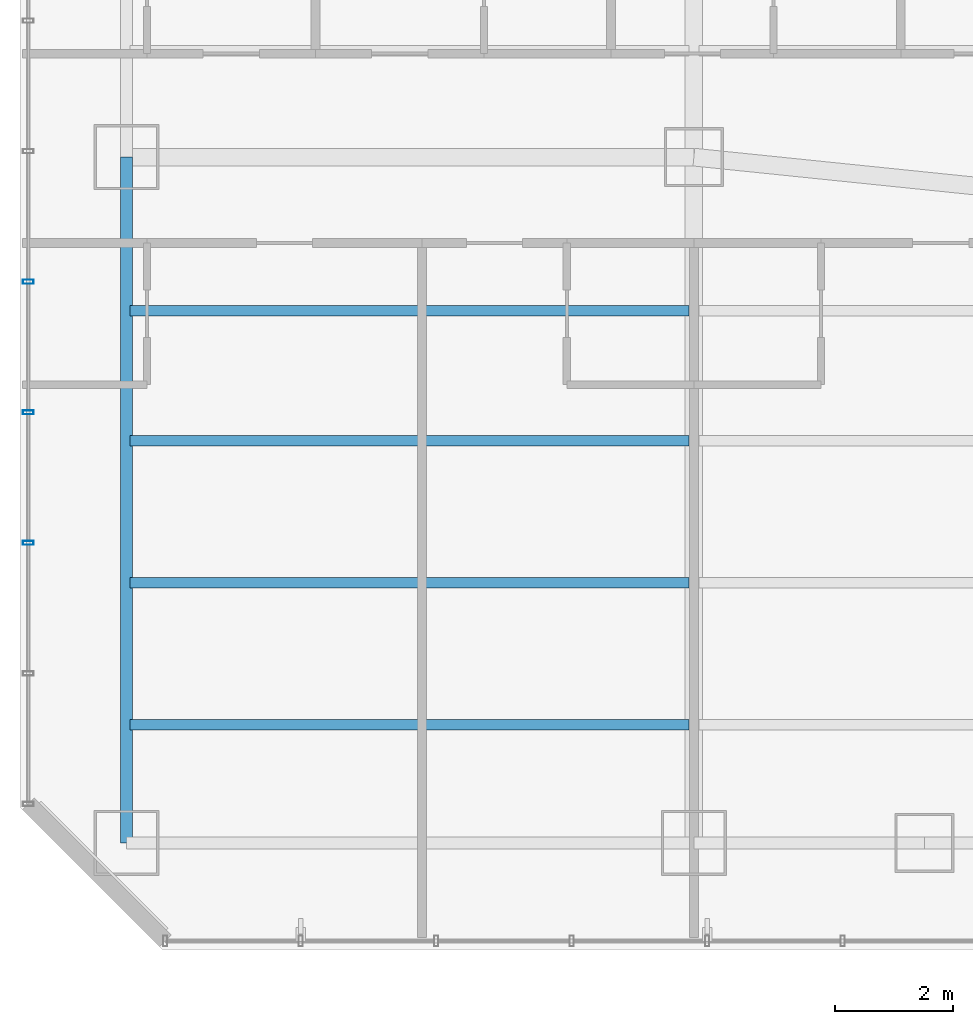
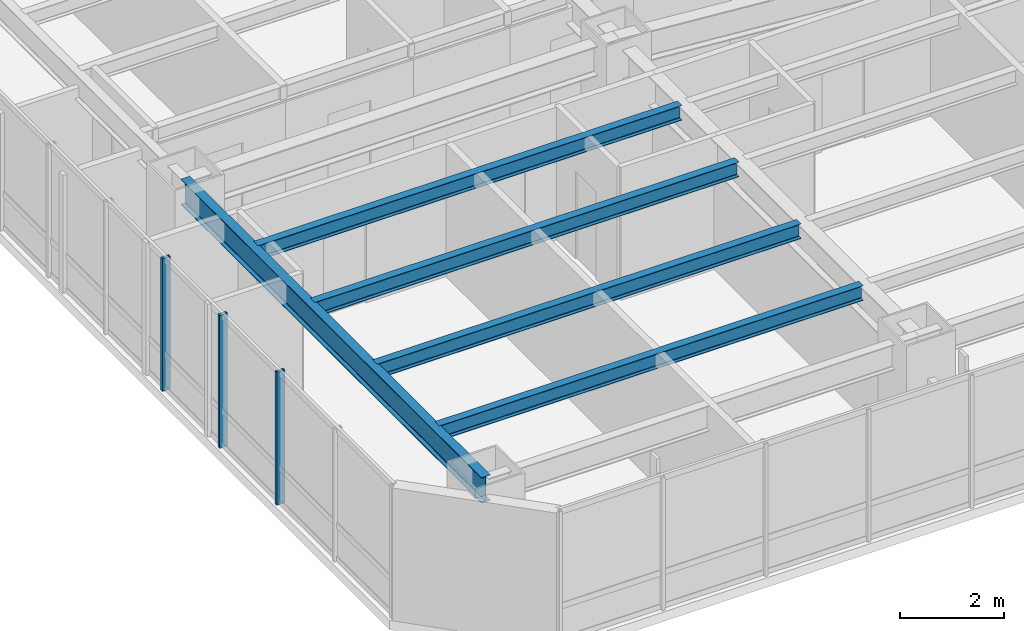
# One storey, part 5 of 32: 5 beams, 3 members, 1 element without a shape of its own.
"""IFC4 building model written with IfcOpenShell, lengths in metres."""

from ifc_helpers import new_model, si_unit, direction, frame, origin, origin_2d, place, context, subcontext, project, spatial, hollow_rectangle, i_section, extrude, material, layer, layer_set, material_profile, profile_set, type_object, element, aggregate, save


model = new_model("IFC4")

# Units and contexts
model_context = context("Model", 3, precision=1e-05, world=origin(), true_north=direction((0.0, 1.0)))
body_context = subcontext(model_context, "Body", "Model", "MODEL_VIEW")
ifc_project = project(units=[si_unit("LENGTHUNIT", "METRE"), si_unit("AREAUNIT", "SQUARE_METRE"), si_unit("VOLUMEUNIT", "CUBIC_METRE"), si_unit("PLANEANGLEUNIT", "RADIAN"), si_unit("MASSUNIT", "GRAM", prefix="KILO")], contexts=[model_context])

# Site, building, storey
site_placement = place(None, origin())
site = spatial("IfcSite", under=ifc_project, at=site_placement, CompositionType="ELEMENT")
building_placement = place(site_placement, origin())
building = spatial("IfcBuilding", under=site, at=building_placement, Name="Hatsunagi Terrace Concourse", CompositionType="ELEMENT")
storey_placement = place(building_placement, frame((0.0, 0.0, 46.64990234375)))
storey = spatial("IfcBuildingStorey", under=building, at=storey_placement, Name="L11", CompositionType="ELEMENT", Elevation=46.64990234375)

# Curtain wall, members
ifc_material_1 = material(Name="Anodised Aluminium Alloy 6063-T5", Category="aluminium")
ifc_layer = layer(ifc_material_1, 0.199951171875)
ifc_layer_set = layer_set([ifc_layer], Name="HotelFacade_CW02")
curtain_wall_type = type_object("IfcCurtainWallType", Name="HotelFacade_CW02", PredefinedType="NOTDEFINED", material=ifc_layer_set)
curtain_wall_placement = place(storey_placement, origin())
curtain_wall = element("IfcCurtainWall", 1, at=curtain_wall_placement, inside=storey, type_object=curtain_wall_type, Name="Unitised Curtain Wall CW-02 CW-L11-09", PredefinedType="NOTDEFINED")
ifc_material_2 = material(Name="Anodised Aluminium Alloy 6063-T5", Category="aluminium")
ifc_material_profile_1 = material_profile(ifc_material_2, hollow_rectangle(XDim=0.070068359375, YDim=0.179931640625, WallThickness=0.00390625, at=origin_2d()), Name="ALU-MUL-180x70x4")
ifc_profile_set_1 = profile_set([ifc_material_profile_1], Name="Anodised Aluminium Alloy 6063-T5")
member_type = type_object("IfcMemberType", Name="CurtainWallMullion_180x70", PredefinedType="MULLION", material=ifc_profile_set_1)
member_1_placement = place(storey_placement, frame((0.139892578125, 30.27490234375, 0.0), z_axis=(0.0, 0.0, 1.0), x_axis=(0.0, 1.0, 0.0)))
member_1 = element("IfcMember", 2, at=member_1_placement, type_object=member_type, Name="Curtain Wall Mullion MUL-02", PredefinedType="MULLION", context=body_context, shape_type="SweptSolid", body=[
    extrude(hollow_rectangle(XDim=0.070068359375, YDim=0.179931640625, WallThickness=0.00390625, at=origin_2d()), origin(), (0.0, 0.0, 1.0), 3.130126953125),
])
member_2_placement = place(storey_placement, frame((0.139892578125, 32.48291015625, 0.0), z_axis=(0.0, 0.0, 1.0), x_axis=(0.0, 1.0, 0.0)))
member_2 = element("IfcMember", 3, at=member_2_placement, type_object=member_type, Name="Curtain Wall Mullion MUL-02", PredefinedType="MULLION", context=body_context, shape_type="SweptSolid", body=[
    extrude(hollow_rectangle(XDim=0.070068359375, YDim=0.179931640625, WallThickness=0.00390625, at=origin_2d()), origin(), (0.0, 0.0, 1.0), 3.130126953125),
])
member_3_placement = place(storey_placement, frame((0.139892578125, 34.69189453125, 0.0), z_axis=(0.0, 0.0, 1.0), x_axis=(0.0, 1.0, 0.0)))
member_3 = element("IfcMember", 4, at=member_3_placement, type_object=member_type, Name="Curtain Wall Mullion MUL-02", PredefinedType="MULLION", context=body_context, shape_type="SweptSolid", body=[
    extrude(hollow_rectangle(XDim=0.070068359375, YDim=0.179931640625, WallThickness=0.00390625, at=origin_2d()), origin(), (0.0, 0.0, 1.0), 3.130126953125),
])
aggregate(curtain_wall, [member_1, member_2, member_3])

# Beams
ifc_material_3 = material(Name="Steel SN490B", Category="steel")
ifc_material_profile_2 = material_profile(ifc_material_3, i_section(OverallWidth=0.175048828125, OverallDepth=0.35009765625, WebThickness=0.007080078125, FlangeThickness=0.010986328125, FilletRadius=0.012939453125, at=origin_2d()), Name="H-350x175x7x11")
ifc_profile_set_2 = profile_set([ifc_material_profile_2], Name="Steel SN490B")
beam_type_1 = type_object("IfcBeamType", Name="HotelJoist_H_350x175", PredefinedType="JOIST", material=ifc_profile_set_2)
for number, where, z_axis, x_axis, name in (
    (5, (1.864990234375, 27.199951171875, 2.955078125), (1.0, 0.0, 0.0), (0.0, 1.0, 0.0), "Beam J-02 J-L11-W-1-272"),
    (6, (1.864990234375, 29.60009765625, 2.955078125), (1.0, 0.0, 0.0), (0.0, 1.0, 0.0), "Beam J-02 J-L11-W-1-296"),
    (7, (1.864990234375, 32.0, 2.955078125), (1.0, 0.0, 0.0), (0.0, 1.0, 0.0), "Beam J-02 J-L11-W-1-320"),
    (8, (1.864990234375, 34.199951171875, 2.955078125), (1.0, 0.0, 0.0), (0.0, 1.0, 0.0), "Beam J-02 J-L11-W-1-342"),
):
    element("IfcBeam", number, at=place(storey_placement, frame(where, z_axis=z_axis, x_axis=x_axis)), inside=storey, type_object=beam_type_1, Name=name, PredefinedType="JOIST", context=body_context, shape_type="SweptSolid", body=[
        extrude(i_section(OverallWidth=0.175048828125, OverallDepth=0.35009765625, WebThickness=0.007080078125, FlangeThickness=0.010986328125, FilletRadius=0.012939453125, at=origin_2d()), origin(), (0.0, 0.0, 1.0), 9.449951171875),
    ])
ifc_material_4 = material(Name="Steel SN490B", Category="steel")
ifc_material_profile_3 = material_profile(ifc_material_4, i_section(OverallWidth=0.199951171875, OverallDepth=0.60009765625, WebThickness=0.010986328125, FlangeThickness=0.01708984375, FilletRadius=0.01806640625, at=origin_2d()), Name="H-600x200x11x17")
ifc_profile_set_3 = profile_set([ifc_material_profile_3], Name="Steel SN490B")
beam_type_2 = type_object("IfcBeamType", Name="PerimeterSpandrel_H_600x200", PredefinedType="SPANDREL", material=ifc_profile_set_3)
beam_placement = place(storey_placement, frame((1.800048828125, 25.199951171875, 2.830078125), z_axis=(0.0, 1.0, 0.0), x_axis=(-1.0, 0.0, 0.0)))
element("IfcBeam", 9, at=beam_placement, inside=storey, type_object=beam_type_2, Name="Beam SP-01 BM-L11-NS-1-25", PredefinedType="SPANDREL", context=body_context, shape_type="SweptSolid", body=[
    extrude(i_section(OverallWidth=0.199951171875, OverallDepth=0.60009765625, WebThickness=0.010986328125, FlangeThickness=0.01708984375, FilletRadius=0.01806640625, at=origin_2d()), origin(), (0.0, 0.0, 1.0), 11.60009765625),
])

save(model, "model.ifc")
